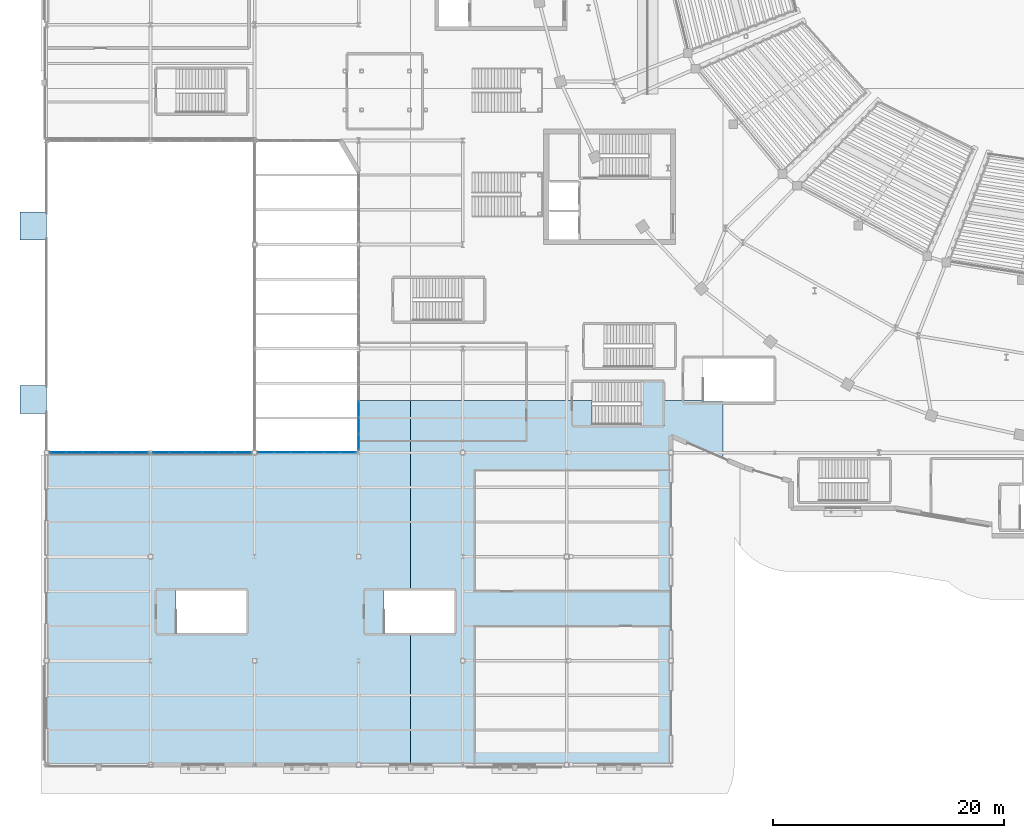
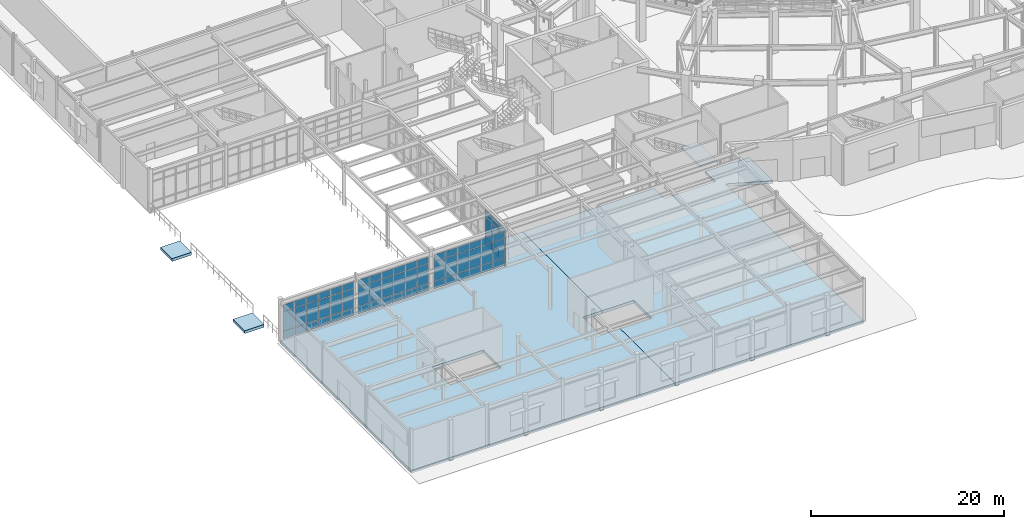
# One storey, part 40 of 79: 63 plates, 5 slabs, 5 elements without a shape of their own.
"""IFC4 building model written with IfcOpenShell, lengths in metres."""

from ifc_helpers import new_model, si_unit, direction, frame, origin, origin_2d, place, context, subcontext, project, spatial, polyline, rectangle, outline, extrude, material, layer, layer_set, type_object, element, aggregate, save


model = new_model("IFC4")

# Units and contexts
model_context = context("Model", 3, precision=1e-05, world=origin(), true_north=direction((0.0, 1.0)))
body_context = subcontext(model_context, "Body", "Model", "MODEL_VIEW")
ifc_project = project(units=[si_unit("LENGTHUNIT", "METRE"), si_unit("AREAUNIT", "SQUARE_METRE"), si_unit("VOLUMEUNIT", "CUBIC_METRE"), si_unit("PLANEANGLEUNIT", "RADIAN"), si_unit("MASSUNIT", "GRAM", prefix="KILO")], contexts=[model_context])

# Site, building, storey
site_placement = place(None, origin())
site = spatial("IfcSite", under=ifc_project, at=site_placement, CompositionType="ELEMENT")
building_placement = place(site_placement, origin())
building = spatial("IfcBuilding", under=site, at=building_placement, Name="Glasvene Arena", CompositionType="ELEMENT")
storey_placement = place(building_placement, origin())
storey = spatial("IfcBuildingStorey", under=building, at=storey_placement, Name="L00", CompositionType="ELEMENT", Elevation=0.0)

# Curtain wall, plates
ifc_material_1 = material(Name="Low-emissivity laminated double glazing", Category="glass")
curtain_wall_type_1 = type_object("IfcCurtainWallType", Name="CW-FAC-L00-853x440", PredefinedType="USERDEFINED", material=ifc_material_1)
curtain_wall_1_placement = place(storey_placement, frame((0.2705078125, 27.0, 0.0)))
curtain_wall_1 = element("IfcCurtainWall", 1, at=curtain_wall_1_placement, inside=storey, type_object=curtain_wall_type_1, Name="Unitised curtain wall CW-F-L00-180-45-270-78", ObjectType="CURTAIN WALL", PredefinedType="USERDEFINED")
ifc_layer_1 = layer(ifc_material_1, 0.028076171875)
ifc_layer_set_1 = layer_set([ifc_layer_1], Name="Low-emissivity laminated double glazing")
plate_type = type_object("IfcPlateType", Name="CW-GLZ-28", PredefinedType="CURTAIN_PANEL", material=ifc_layer_set_1)
plate_1_placement = place(storey_placement, frame((0.994140625, 27.0, 0.10986328125), z_axis=(0.0, 0.0, 1.0), x_axis=(1.0, 0.0, 0.0)))
plate_1 = element("IfcPlate", 2, at=plate_1_placement, type_object=plate_type, Name="CW-003 panel 1.1", PredefinedType="CURTAIN_PANEL", context=body_context, shape_type="SweptSolid", body=[
    extrude(rectangle(XDim=1.34716796875, YDim=0.028076171875, at=origin_2d()), origin(), (0.0, 0.0, 1.0), 0.965087890625),
])
plate_2_placement = place(storey_placement, frame((0.994140625, 27.0, 1.125), z_axis=(0.0, 0.0, 1.0), x_axis=(1.0, 0.0, 0.0)))
plate_2 = element("IfcPlate", 3, at=plate_2_placement, type_object=plate_type, Name="CW-003 panel 1.2", PredefinedType="CURTAIN_PANEL", context=body_context, shape_type="SweptSolid", body=[
    extrude(rectangle(XDim=1.34716796875, YDim=0.028076171875, at=origin_2d()), origin(), (0.0, 0.0, 1.0), 2.4150390625),
])
plate_3_placement = place(storey_placement, frame((0.994140625, 27.0, 3.58984375), z_axis=(0.0, 0.0, 1.0), x_axis=(1.0, 0.0, 0.0)))
plate_3 = element("IfcPlate", 4, at=plate_3_placement, type_object=plate_type, Name="CW-003 panel 1.3", PredefinedType="CURTAIN_PANEL", context=body_context, shape_type="SweptSolid", body=[
    extrude(rectangle(XDim=1.34716796875, YDim=0.028076171875, at=origin_2d()), origin(), (0.0, 0.0, 1.0), 0.824951171875),
])
plate_4_placement = place(storey_placement, frame((2.40380859375, 27.0, 0.10986328125), z_axis=(0.0, 0.0, 1.0), x_axis=(1.0, 0.0, 0.0)))
plate_4 = element("IfcPlate", 5, at=plate_4_placement, type_object=plate_type, Name="CW-003 panel 2.1", PredefinedType="CURTAIN_PANEL", context=body_context, shape_type="SweptSolid", body=[
    extrude(rectangle(XDim=1.3720703125, YDim=0.028076171875, at=origin_2d()), origin(), (0.0, 0.0, 1.0), 0.965087890625),
])
plate_5_placement = place(storey_placement, frame((2.40380859375, 27.0, 1.125), z_axis=(0.0, 0.0, 1.0), x_axis=(1.0, 0.0, 0.0)))
plate_5 = element("IfcPlate", 6, at=plate_5_placement, type_object=plate_type, Name="CW-003 panel 2.2", PredefinedType="CURTAIN_PANEL", context=body_context, shape_type="SweptSolid", body=[
    extrude(rectangle(XDim=1.3720703125, YDim=0.028076171875, at=origin_2d()), origin(), (0.0, 0.0, 1.0), 2.4150390625),
])
plate_6_placement = place(storey_placement, frame((2.40380859375, 27.0, 3.58984375), z_axis=(0.0, 0.0, 1.0), x_axis=(1.0, 0.0, 0.0)))
plate_6 = element("IfcPlate", 7, at=plate_6_placement, type_object=plate_type, Name="CW-003 panel 2.3", PredefinedType="CURTAIN_PANEL", context=body_context, shape_type="SweptSolid", body=[
    extrude(rectangle(XDim=1.3720703125, YDim=0.028076171875, at=origin_2d()), origin(), (0.0, 0.0, 1.0), 0.824951171875),
])
plate_7_placement = place(storey_placement, frame((3.825927734375, 27.0, 0.10986328125), z_axis=(0.0, 0.0, 1.0), x_axis=(1.0, 0.0, 0.0)))
plate_7 = element("IfcPlate", 8, at=plate_7_placement, type_object=plate_type, Name="CW-003 panel 3.1", PredefinedType="CURTAIN_PANEL", context=body_context, shape_type="SweptSolid", body=[
    extrude(rectangle(XDim=1.3720703125, YDim=0.028076171875, at=origin_2d()), origin(), (0.0, 0.0, 1.0), 0.965087890625),
])
plate_8_placement = place(storey_placement, frame((3.825927734375, 27.0, 1.125), z_axis=(0.0, 0.0, 1.0), x_axis=(1.0, 0.0, 0.0)))
plate_8 = element("IfcPlate", 9, at=plate_8_placement, type_object=plate_type, Name="CW-003 panel 3.2", PredefinedType="CURTAIN_PANEL", context=body_context, shape_type="SweptSolid", body=[
    extrude(rectangle(XDim=1.3720703125, YDim=0.028076171875, at=origin_2d()), origin(), (0.0, 0.0, 1.0), 2.4150390625),
])
plate_9_placement = place(storey_placement, frame((3.825927734375, 27.0, 3.58984375), z_axis=(0.0, 0.0, 1.0), x_axis=(1.0, 0.0, 0.0)))
plate_9 = element("IfcPlate", 10, at=plate_9_placement, type_object=plate_type, Name="CW-003 panel 3.3", PredefinedType="CURTAIN_PANEL", context=body_context, shape_type="SweptSolid", body=[
    extrude(rectangle(XDim=1.3720703125, YDim=0.028076171875, at=origin_2d()), origin(), (0.0, 0.0, 1.0), 0.824951171875),
])
plate_10_placement = place(storey_placement, frame((5.248046875, 27.0, 0.10986328125), z_axis=(0.0, 0.0, 1.0), x_axis=(1.0, 0.0, 0.0)))
plate_10 = element("IfcPlate", 11, at=plate_10_placement, type_object=plate_type, Name="CW-003 panel 4.1", PredefinedType="CURTAIN_PANEL", context=body_context, shape_type="SweptSolid", body=[
    extrude(rectangle(XDim=1.3720703125, YDim=0.028076171875, at=origin_2d()), origin(), (0.0, 0.0, 1.0), 0.965087890625),
])
plate_11_placement = place(storey_placement, frame((5.248046875, 27.0, 1.125), z_axis=(0.0, 0.0, 1.0), x_axis=(1.0, 0.0, 0.0)))
plate_11 = element("IfcPlate", 12, at=plate_11_placement, type_object=plate_type, Name="CW-003 panel 4.2", PredefinedType="CURTAIN_PANEL", context=body_context, shape_type="SweptSolid", body=[
    extrude(rectangle(XDim=1.3720703125, YDim=0.028076171875, at=origin_2d()), origin(), (0.0, 0.0, 1.0), 2.4150390625),
])
plate_12_placement = place(storey_placement, frame((5.248046875, 27.0, 3.58984375), z_axis=(0.0, 0.0, 1.0), x_axis=(1.0, 0.0, 0.0)))
plate_12 = element("IfcPlate", 13, at=plate_12_placement, type_object=plate_type, Name="CW-003 panel 4.3", PredefinedType="CURTAIN_PANEL", context=body_context, shape_type="SweptSolid", body=[
    extrude(rectangle(XDim=1.3720703125, YDim=0.028076171875, at=origin_2d()), origin(), (0.0, 0.0, 1.0), 0.824951171875),
])
plate_13_placement = place(storey_placement, frame((6.670166015625, 27.0, 0.10986328125), z_axis=(0.0, 0.0, 1.0), x_axis=(1.0, 0.0, 0.0)))
plate_13 = element("IfcPlate", 14, at=plate_13_placement, type_object=plate_type, Name="CW-003 panel 5.1", PredefinedType="CURTAIN_PANEL", context=body_context, shape_type="SweptSolid", body=[
    extrude(rectangle(XDim=1.3720703125, YDim=0.028076171875, at=origin_2d()), origin(), (0.0, 0.0, 1.0), 0.965087890625),
])
plate_14_placement = place(storey_placement, frame((6.670166015625, 27.0, 1.125), z_axis=(0.0, 0.0, 1.0), x_axis=(1.0, 0.0, 0.0)))
plate_14 = element("IfcPlate", 15, at=plate_14_placement, type_object=plate_type, Name="CW-003 panel 5.2", PredefinedType="CURTAIN_PANEL", context=body_context, shape_type="SweptSolid", body=[
    extrude(rectangle(XDim=1.3720703125, YDim=0.028076171875, at=origin_2d()), origin(), (0.0, 0.0, 1.0), 2.4150390625),
])
plate_15_placement = place(storey_placement, frame((6.670166015625, 27.0, 3.58984375), z_axis=(0.0, 0.0, 1.0), x_axis=(1.0, 0.0, 0.0)))
plate_15 = element("IfcPlate", 16, at=plate_15_placement, type_object=plate_type, Name="CW-003 panel 5.3", PredefinedType="CURTAIN_PANEL", context=body_context, shape_type="SweptSolid", body=[
    extrude(rectangle(XDim=1.3720703125, YDim=0.028076171875, at=origin_2d()), origin(), (0.0, 0.0, 1.0), 0.824951171875),
])
plate_16_placement = place(storey_placement, frame((8.079833984375, 27.0, 0.10986328125), z_axis=(0.0, 0.0, 1.0), x_axis=(1.0, 0.0, 0.0)))
plate_16 = element("IfcPlate", 17, at=plate_16_placement, type_object=plate_type, Name="CW-003 panel 6.1", PredefinedType="CURTAIN_PANEL", context=body_context, shape_type="SweptSolid", body=[
    extrude(rectangle(XDim=1.34716796875, YDim=0.028076171875, at=origin_2d()), origin(), (0.0, 0.0, 1.0), 0.965087890625),
])
plate_17_placement = place(storey_placement, frame((8.079833984375, 27.0, 1.125), z_axis=(0.0, 0.0, 1.0), x_axis=(1.0, 0.0, 0.0)))
plate_17 = element("IfcPlate", 18, at=plate_17_placement, type_object=plate_type, Name="CW-003 panel 6.2", PredefinedType="CURTAIN_PANEL", context=body_context, shape_type="SweptSolid", body=[
    extrude(rectangle(XDim=1.34716796875, YDim=0.028076171875, at=origin_2d()), origin(), (0.0, 0.0, 1.0), 2.4150390625),
])
plate_18_placement = place(storey_placement, frame((8.079833984375, 27.0, 3.58984375), z_axis=(0.0, 0.0, 1.0), x_axis=(1.0, 0.0, 0.0)))
plate_18 = element("IfcPlate", 19, at=plate_18_placement, type_object=plate_type, Name="CW-003 panel 6.3", PredefinedType="CURTAIN_PANEL", context=body_context, shape_type="SweptSolid", body=[
    extrude(rectangle(XDim=1.34716796875, YDim=0.028076171875, at=origin_2d()), origin(), (0.0, 0.0, 1.0), 0.824951171875),
])
aggregate(curtain_wall_1, [plate_1, plate_2, plate_3, plate_4, plate_5, plate_6, plate_7, plate_8, plate_9, plate_10, plate_11, plate_12, plate_13, plate_14, plate_15, plate_16, plate_17, plate_18])

curtain_wall_2_placement = place(storey_placement, frame((9.196533203125, 27.0, 0.0)))
curtain_wall_2 = element("IfcCurtainWall", 20, at=curtain_wall_2_placement, inside=storey, type_object=curtain_wall_type_1, Name="Unitised curtain wall CW-F-L00-180-135-270-79", ObjectType="CURTAIN WALL", PredefinedType="USERDEFINED")
plate_19_placement = place(storey_placement, frame((9.920166015625, 27.0, 0.10986328125), z_axis=(0.0, 0.0, 1.0), x_axis=(1.0, 0.0, 0.0)))
plate_19 = element("IfcPlate", 21, at=plate_19_placement, type_object=plate_type, Name="CW-003 panel 1.1", PredefinedType="CURTAIN_PANEL", context=body_context, shape_type="SweptSolid", body=[
    extrude(rectangle(XDim=1.34716796875, YDim=0.028076171875, at=origin_2d()), origin(), (0.0, 0.0, 1.0), 0.965087890625),
])
plate_20_placement = place(storey_placement, frame((9.920166015625, 27.0, 1.125), z_axis=(0.0, 0.0, 1.0), x_axis=(1.0, 0.0, 0.0)))
plate_20 = element("IfcPlate", 22, at=plate_20_placement, type_object=plate_type, Name="CW-003 panel 1.2", PredefinedType="CURTAIN_PANEL", context=body_context, shape_type="SweptSolid", body=[
    extrude(rectangle(XDim=1.34716796875, YDim=0.028076171875, at=origin_2d()), origin(), (0.0, 0.0, 1.0), 2.4150390625),
])
plate_21_placement = place(storey_placement, frame((9.920166015625, 27.0, 3.58984375), z_axis=(0.0, 0.0, 1.0), x_axis=(1.0, 0.0, 0.0)))
plate_21 = element("IfcPlate", 23, at=plate_21_placement, type_object=plate_type, Name="CW-003 panel 1.3", PredefinedType="CURTAIN_PANEL", context=body_context, shape_type="SweptSolid", body=[
    extrude(rectangle(XDim=1.34716796875, YDim=0.028076171875, at=origin_2d()), origin(), (0.0, 0.0, 1.0), 0.824951171875),
])
plate_22_placement = place(storey_placement, frame((11.329833984375, 27.0, 0.10986328125), z_axis=(0.0, 0.0, 1.0), x_axis=(1.0, 0.0, 0.0)))
plate_22 = element("IfcPlate", 24, at=plate_22_placement, type_object=plate_type, Name="CW-003 panel 2.1", PredefinedType="CURTAIN_PANEL", context=body_context, shape_type="SweptSolid", body=[
    extrude(rectangle(XDim=1.3720703125, YDim=0.028076171875, at=origin_2d()), origin(), (0.0, 0.0, 1.0), 0.965087890625),
])
plate_23_placement = place(storey_placement, frame((11.329833984375, 27.0, 1.125), z_axis=(0.0, 0.0, 1.0), x_axis=(1.0, 0.0, 0.0)))
plate_23 = element("IfcPlate", 25, at=plate_23_placement, type_object=plate_type, Name="CW-003 panel 2.2", PredefinedType="CURTAIN_PANEL", context=body_context, shape_type="SweptSolid", body=[
    extrude(rectangle(XDim=1.3720703125, YDim=0.028076171875, at=origin_2d()), origin(), (0.0, 0.0, 1.0), 2.4150390625),
])
plate_24_placement = place(storey_placement, frame((11.329833984375, 27.0, 3.58984375), z_axis=(0.0, 0.0, 1.0), x_axis=(1.0, 0.0, 0.0)))
plate_24 = element("IfcPlate", 26, at=plate_24_placement, type_object=plate_type, Name="CW-003 panel 2.3", PredefinedType="CURTAIN_PANEL", context=body_context, shape_type="SweptSolid", body=[
    extrude(rectangle(XDim=1.3720703125, YDim=0.028076171875, at=origin_2d()), origin(), (0.0, 0.0, 1.0), 0.824951171875),
])
plate_25_placement = place(storey_placement, frame((12.751953125, 27.0, 0.10986328125), z_axis=(0.0, 0.0, 1.0), x_axis=(1.0, 0.0, 0.0)))
plate_25 = element("IfcPlate", 27, at=plate_25_placement, type_object=plate_type, Name="CW-003 panel 3.1", PredefinedType="CURTAIN_PANEL", context=body_context, shape_type="SweptSolid", body=[
    extrude(rectangle(XDim=1.3720703125, YDim=0.028076171875, at=origin_2d()), origin(), (0.0, 0.0, 1.0), 0.965087890625),
])
plate_26_placement = place(storey_placement, frame((12.751953125, 27.0, 1.125), z_axis=(0.0, 0.0, 1.0), x_axis=(1.0, 0.0, 0.0)))
plate_26 = element("IfcPlate", 28, at=plate_26_placement, type_object=plate_type, Name="CW-003 panel 3.2", PredefinedType="CURTAIN_PANEL", context=body_context, shape_type="SweptSolid", body=[
    extrude(rectangle(XDim=1.3720703125, YDim=0.028076171875, at=origin_2d()), origin(), (0.0, 0.0, 1.0), 2.4150390625),
])
plate_27_placement = place(storey_placement, frame((12.751953125, 27.0, 3.58984375), z_axis=(0.0, 0.0, 1.0), x_axis=(1.0, 0.0, 0.0)))
plate_27 = element("IfcPlate", 29, at=plate_27_placement, type_object=plate_type, Name="CW-003 panel 3.3", PredefinedType="CURTAIN_PANEL", context=body_context, shape_type="SweptSolid", body=[
    extrude(rectangle(XDim=1.3720703125, YDim=0.028076171875, at=origin_2d()), origin(), (0.0, 0.0, 1.0), 0.824951171875),
])
plate_28_placement = place(storey_placement, frame((14.174072265625, 27.0, 0.10986328125), z_axis=(0.0, 0.0, 1.0), x_axis=(1.0, 0.0, 0.0)))
plate_28 = element("IfcPlate", 30, at=plate_28_placement, type_object=plate_type, Name="CW-003 panel 4.1", PredefinedType="CURTAIN_PANEL", context=body_context, shape_type="SweptSolid", body=[
    extrude(rectangle(XDim=1.3720703125, YDim=0.028076171875, at=origin_2d()), origin(), (0.0, 0.0, 1.0), 0.965087890625),
])
plate_29_placement = place(storey_placement, frame((14.174072265625, 27.0, 1.125), z_axis=(0.0, 0.0, 1.0), x_axis=(1.0, 0.0, 0.0)))
plate_29 = element("IfcPlate", 31, at=plate_29_placement, type_object=plate_type, Name="CW-003 panel 4.2", PredefinedType="CURTAIN_PANEL", context=body_context, shape_type="SweptSolid", body=[
    extrude(rectangle(XDim=1.3720703125, YDim=0.028076171875, at=origin_2d()), origin(), (0.0, 0.0, 1.0), 2.4150390625),
])
plate_30_placement = place(storey_placement, frame((14.174072265625, 27.0, 3.58984375), z_axis=(0.0, 0.0, 1.0), x_axis=(1.0, 0.0, 0.0)))
plate_30 = element("IfcPlate", 32, at=plate_30_placement, type_object=plate_type, Name="CW-003 panel 4.3", PredefinedType="CURTAIN_PANEL", context=body_context, shape_type="SweptSolid", body=[
    extrude(rectangle(XDim=1.3720703125, YDim=0.028076171875, at=origin_2d()), origin(), (0.0, 0.0, 1.0), 0.824951171875),
])
plate_31_placement = place(storey_placement, frame((15.59619140625, 27.0, 0.10986328125), z_axis=(0.0, 0.0, 1.0), x_axis=(1.0, 0.0, 0.0)))
plate_31 = element("IfcPlate", 33, at=plate_31_placement, type_object=plate_type, Name="CW-003 panel 5.1", PredefinedType="CURTAIN_PANEL", context=body_context, shape_type="SweptSolid", body=[
    extrude(rectangle(XDim=1.3720703125, YDim=0.028076171875, at=origin_2d()), origin(), (0.0, 0.0, 1.0), 0.965087890625),
])
plate_32_placement = place(storey_placement, frame((15.59619140625, 27.0, 1.125), z_axis=(0.0, 0.0, 1.0), x_axis=(1.0, 0.0, 0.0)))
plate_32 = element("IfcPlate", 34, at=plate_32_placement, type_object=plate_type, Name="CW-003 panel 5.2", PredefinedType="CURTAIN_PANEL", context=body_context, shape_type="SweptSolid", body=[
    extrude(rectangle(XDim=1.3720703125, YDim=0.028076171875, at=origin_2d()), origin(), (0.0, 0.0, 1.0), 2.4150390625),
])
plate_33_placement = place(storey_placement, frame((15.59619140625, 27.0, 3.58984375), z_axis=(0.0, 0.0, 1.0), x_axis=(1.0, 0.0, 0.0)))
plate_33 = element("IfcPlate", 35, at=plate_33_placement, type_object=plate_type, Name="CW-003 panel 5.3", PredefinedType="CURTAIN_PANEL", context=body_context, shape_type="SweptSolid", body=[
    extrude(rectangle(XDim=1.3720703125, YDim=0.028076171875, at=origin_2d()), origin(), (0.0, 0.0, 1.0), 0.824951171875),
])
plate_34_placement = place(storey_placement, frame((17.005859375, 27.0, 0.10986328125), z_axis=(0.0, 0.0, 1.0), x_axis=(1.0, 0.0, 0.0)))
plate_34 = element("IfcPlate", 36, at=plate_34_placement, type_object=plate_type, Name="CW-003 panel 6.1", PredefinedType="CURTAIN_PANEL", context=body_context, shape_type="SweptSolid", body=[
    extrude(rectangle(XDim=1.34716796875, YDim=0.028076171875, at=origin_2d()), origin(), (0.0, 0.0, 1.0), 0.965087890625),
])
plate_35_placement = place(storey_placement, frame((17.005859375, 27.0, 1.125), z_axis=(0.0, 0.0, 1.0), x_axis=(1.0, 0.0, 0.0)))
plate_35 = element("IfcPlate", 37, at=plate_35_placement, type_object=plate_type, Name="CW-003 panel 6.2", PredefinedType="CURTAIN_PANEL", context=body_context, shape_type="SweptSolid", body=[
    extrude(rectangle(XDim=1.34716796875, YDim=0.028076171875, at=origin_2d()), origin(), (0.0, 0.0, 1.0), 2.4150390625),
])
plate_36_placement = place(storey_placement, frame((17.005859375, 27.0, 3.58984375), z_axis=(0.0, 0.0, 1.0), x_axis=(1.0, 0.0, 0.0)))
plate_36 = element("IfcPlate", 38, at=plate_36_placement, type_object=plate_type, Name="CW-003 panel 6.3", PredefinedType="CURTAIN_PANEL", context=body_context, shape_type="SweptSolid", body=[
    extrude(rectangle(XDim=1.34716796875, YDim=0.028076171875, at=origin_2d()), origin(), (0.0, 0.0, 1.0), 0.824951171875),
])
aggregate(curtain_wall_2, [plate_19, plate_20, plate_21, plate_22, plate_23, plate_24, plate_25, plate_26, plate_27, plate_28, plate_29, plate_30, plate_31, plate_32, plate_33, plate_34, plate_35, plate_36])

curtain_wall_3_placement = place(storey_placement, frame((18.2705078125, 27.0, 0.0)))
curtain_wall_3 = element("IfcCurtainWall", 39, at=curtain_wall_3_placement, inside=storey, type_object=curtain_wall_type_1, Name="Unitised curtain wall CW-F-L00-180-225-270-80", ObjectType="CURTAIN WALL", PredefinedType="USERDEFINED")
plate_37_placement = place(storey_placement, frame((18.994140625, 27.0, 0.10986328125), z_axis=(0.0, 0.0, 1.0), x_axis=(1.0, 0.0, 0.0)))
plate_37 = element("IfcPlate", 40, at=plate_37_placement, type_object=plate_type, Name="CW-003 panel 1.1", PredefinedType="CURTAIN_PANEL", context=body_context, shape_type="SweptSolid", body=[
    extrude(rectangle(XDim=1.34716796875, YDim=0.028076171875, at=origin_2d()), origin(), (0.0, 0.0, 1.0), 0.965087890625),
])
plate_38_placement = place(storey_placement, frame((18.994140625, 27.0, 1.125), z_axis=(0.0, 0.0, 1.0), x_axis=(1.0, 0.0, 0.0)))
plate_38 = element("IfcPlate", 41, at=plate_38_placement, type_object=plate_type, Name="CW-003 panel 1.2", PredefinedType="CURTAIN_PANEL", context=body_context, shape_type="SweptSolid", body=[
    extrude(rectangle(XDim=1.34716796875, YDim=0.028076171875, at=origin_2d()), origin(), (0.0, 0.0, 1.0), 2.4150390625),
])
plate_39_placement = place(storey_placement, frame((18.994140625, 27.0, 3.58984375), z_axis=(0.0, 0.0, 1.0), x_axis=(1.0, 0.0, 0.0)))
plate_39 = element("IfcPlate", 42, at=plate_39_placement, type_object=plate_type, Name="CW-003 panel 1.3", PredefinedType="CURTAIN_PANEL", context=body_context, shape_type="SweptSolid", body=[
    extrude(rectangle(XDim=1.34716796875, YDim=0.028076171875, at=origin_2d()), origin(), (0.0, 0.0, 1.0), 0.824951171875),
])
plate_40_placement = place(storey_placement, frame((20.40380859375, 27.0, 0.10986328125), z_axis=(0.0, 0.0, 1.0), x_axis=(1.0, 0.0, 0.0)))
plate_40 = element("IfcPlate", 43, at=plate_40_placement, type_object=plate_type, Name="CW-003 panel 2.1", PredefinedType="CURTAIN_PANEL", context=body_context, shape_type="SweptSolid", body=[
    extrude(rectangle(XDim=1.3720703125, YDim=0.028076171875, at=origin_2d()), origin(), (0.0, 0.0, 1.0), 0.965087890625),
])
plate_41_placement = place(storey_placement, frame((20.40380859375, 27.0, 1.125), z_axis=(0.0, 0.0, 1.0), x_axis=(1.0, 0.0, 0.0)))
plate_41 = element("IfcPlate", 44, at=plate_41_placement, type_object=plate_type, Name="CW-003 panel 2.2", PredefinedType="CURTAIN_PANEL", context=body_context, shape_type="SweptSolid", body=[
    extrude(rectangle(XDim=1.3720703125, YDim=0.028076171875, at=origin_2d()), origin(), (0.0, 0.0, 1.0), 2.4150390625),
])
plate_42_placement = place(storey_placement, frame((20.40380859375, 27.0, 3.58984375), z_axis=(0.0, 0.0, 1.0), x_axis=(1.0, 0.0, 0.0)))
plate_42 = element("IfcPlate", 45, at=plate_42_placement, type_object=plate_type, Name="CW-003 panel 2.3", PredefinedType="CURTAIN_PANEL", context=body_context, shape_type="SweptSolid", body=[
    extrude(rectangle(XDim=1.3720703125, YDim=0.028076171875, at=origin_2d()), origin(), (0.0, 0.0, 1.0), 0.824951171875),
])
plate_43_placement = place(storey_placement, frame((21.825927734375, 27.0, 0.10986328125), z_axis=(0.0, 0.0, 1.0), x_axis=(1.0, 0.0, 0.0)))
plate_43 = element("IfcPlate", 46, at=plate_43_placement, type_object=plate_type, Name="CW-003 panel 3.1", PredefinedType="CURTAIN_PANEL", context=body_context, shape_type="SweptSolid", body=[
    extrude(rectangle(XDim=1.3720703125, YDim=0.028076171875, at=origin_2d()), origin(), (0.0, 0.0, 1.0), 0.965087890625),
])
plate_44_placement = place(storey_placement, frame((21.825927734375, 27.0, 1.125), z_axis=(0.0, 0.0, 1.0), x_axis=(1.0, 0.0, 0.0)))
plate_44 = element("IfcPlate", 47, at=plate_44_placement, type_object=plate_type, Name="CW-003 panel 3.2", PredefinedType="CURTAIN_PANEL", context=body_context, shape_type="SweptSolid", body=[
    extrude(rectangle(XDim=1.3720703125, YDim=0.028076171875, at=origin_2d()), origin(), (0.0, 0.0, 1.0), 2.4150390625),
])
plate_45_placement = place(storey_placement, frame((21.825927734375, 27.0, 3.58984375), z_axis=(0.0, 0.0, 1.0), x_axis=(1.0, 0.0, 0.0)))
plate_45 = element("IfcPlate", 48, at=plate_45_placement, type_object=plate_type, Name="CW-003 panel 3.3", PredefinedType="CURTAIN_PANEL", context=body_context, shape_type="SweptSolid", body=[
    extrude(rectangle(XDim=1.3720703125, YDim=0.028076171875, at=origin_2d()), origin(), (0.0, 0.0, 1.0), 0.824951171875),
])
plate_46_placement = place(storey_placement, frame((23.248046875, 27.0, 0.10986328125), z_axis=(0.0, 0.0, 1.0), x_axis=(1.0, 0.0, 0.0)))
plate_46 = element("IfcPlate", 49, at=plate_46_placement, type_object=plate_type, Name="CW-003 panel 4.1", PredefinedType="CURTAIN_PANEL", context=body_context, shape_type="SweptSolid", body=[
    extrude(rectangle(XDim=1.3720703125, YDim=0.028076171875, at=origin_2d()), origin(), (0.0, 0.0, 1.0), 0.965087890625),
])
plate_47_placement = place(storey_placement, frame((23.248046875, 27.0, 1.125), z_axis=(0.0, 0.0, 1.0), x_axis=(1.0, 0.0, 0.0)))
plate_47 = element("IfcPlate", 50, at=plate_47_placement, type_object=plate_type, Name="CW-003 panel 4.2", PredefinedType="CURTAIN_PANEL", context=body_context, shape_type="SweptSolid", body=[
    extrude(rectangle(XDim=1.3720703125, YDim=0.028076171875, at=origin_2d()), origin(), (0.0, 0.0, 1.0), 2.4150390625),
])
plate_48_placement = place(storey_placement, frame((23.248046875, 27.0, 3.58984375), z_axis=(0.0, 0.0, 1.0), x_axis=(1.0, 0.0, 0.0)))
plate_48 = element("IfcPlate", 51, at=plate_48_placement, type_object=plate_type, Name="CW-003 panel 4.3", PredefinedType="CURTAIN_PANEL", context=body_context, shape_type="SweptSolid", body=[
    extrude(rectangle(XDim=1.3720703125, YDim=0.028076171875, at=origin_2d()), origin(), (0.0, 0.0, 1.0), 0.824951171875),
])
plate_49_placement = place(storey_placement, frame((24.670166015625, 27.0, 0.10986328125), z_axis=(0.0, 0.0, 1.0), x_axis=(1.0, 0.0, 0.0)))
plate_49 = element("IfcPlate", 52, at=plate_49_placement, type_object=plate_type, Name="CW-003 panel 5.1", PredefinedType="CURTAIN_PANEL", context=body_context, shape_type="SweptSolid", body=[
    extrude(rectangle(XDim=1.3720703125, YDim=0.028076171875, at=origin_2d()), origin(), (0.0, 0.0, 1.0), 0.965087890625),
])
plate_50_placement = place(storey_placement, frame((24.670166015625, 27.0, 1.125), z_axis=(0.0, 0.0, 1.0), x_axis=(1.0, 0.0, 0.0)))
plate_50 = element("IfcPlate", 53, at=plate_50_placement, type_object=plate_type, Name="CW-003 panel 5.2", PredefinedType="CURTAIN_PANEL", context=body_context, shape_type="SweptSolid", body=[
    extrude(rectangle(XDim=1.3720703125, YDim=0.028076171875, at=origin_2d()), origin(), (0.0, 0.0, 1.0), 2.4150390625),
])
plate_51_placement = place(storey_placement, frame((24.670166015625, 27.0, 3.58984375), z_axis=(0.0, 0.0, 1.0), x_axis=(1.0, 0.0, 0.0)))
plate_51 = element("IfcPlate", 54, at=plate_51_placement, type_object=plate_type, Name="CW-003 panel 5.3", PredefinedType="CURTAIN_PANEL", context=body_context, shape_type="SweptSolid", body=[
    extrude(rectangle(XDim=1.3720703125, YDim=0.028076171875, at=origin_2d()), origin(), (0.0, 0.0, 1.0), 0.824951171875),
])
plate_52_placement = place(storey_placement, frame((26.079833984375, 27.0, 0.10986328125), z_axis=(0.0, 0.0, 1.0), x_axis=(1.0, 0.0, 0.0)))
plate_52 = element("IfcPlate", 55, at=plate_52_placement, type_object=plate_type, Name="CW-003 panel 6.1", PredefinedType="CURTAIN_PANEL", context=body_context, shape_type="SweptSolid", body=[
    extrude(rectangle(XDim=1.34716796875, YDim=0.028076171875, at=origin_2d()), origin(), (0.0, 0.0, 1.0), 0.965087890625),
])
plate_53_placement = place(storey_placement, frame((26.079833984375, 27.0, 1.125), z_axis=(0.0, 0.0, 1.0), x_axis=(1.0, 0.0, 0.0)))
plate_53 = element("IfcPlate", 56, at=plate_53_placement, type_object=plate_type, Name="CW-003 panel 6.2", PredefinedType="CURTAIN_PANEL", context=body_context, shape_type="SweptSolid", body=[
    extrude(rectangle(XDim=1.34716796875, YDim=0.028076171875, at=origin_2d()), origin(), (0.0, 0.0, 1.0), 2.4150390625),
])
plate_54_placement = place(storey_placement, frame((26.079833984375, 27.0, 3.58984375), z_axis=(0.0, 0.0, 1.0), x_axis=(1.0, 0.0, 0.0)))
plate_54 = element("IfcPlate", 57, at=plate_54_placement, type_object=plate_type, Name="CW-003 panel 6.3", PredefinedType="CURTAIN_PANEL", context=body_context, shape_type="SweptSolid", body=[
    extrude(rectangle(XDim=1.34716796875, YDim=0.028076171875, at=origin_2d()), origin(), (0.0, 0.0, 1.0), 0.824951171875),
])
aggregate(curtain_wall_3, [plate_37, plate_38, plate_39, plate_40, plate_41, plate_42, plate_43, plate_44, plate_45, plate_46, plate_47, plate_48, plate_49, plate_50, plate_51, plate_52, plate_53, plate_54])

curtain_wall_type_2 = type_object("IfcCurtainWallType", Name="CW-FAC-L00-851x445", PredefinedType="USERDEFINED", material=ifc_material_1)
curtain_wall_4_placement = place(storey_placement, frame((27.0, 27.202392578125, 0.0)))
curtain_wall_4 = element("IfcCurtainWall", 58, at=curtain_wall_4_placement, inside=storey, type_object=curtain_wall_type_2, Name="Unitised curtain wall CW-F-L00-180-270-315-81", ObjectType="CURTAIN WALL", PredefinedType="USERDEFINED")
plate_55_placement = place(storey_placement, frame((27.0, 27.923583984375, 0.10986328125), z_axis=(0.0, 0.0, 1.0), x_axis=(0.0, 1.0, 0.0)))
plate_55 = element("IfcPlate", 59, at=plate_55_placement, type_object=plate_type, Name="CW-004 panel 1.1", PredefinedType="CURTAIN_PANEL", context=body_context, shape_type="SweptSolid", body=[
    extrude(rectangle(XDim=1.342529296875, YDim=0.028076171875, at=origin_2d()), origin(), (0.0, 0.0, 1.0), 0.965087890625),
])
plate_56_placement = place(storey_placement, frame((27.0, 27.923583984375, 1.125), z_axis=(0.0, 0.0, 1.0), x_axis=(0.0, 1.0, 0.0)))
plate_56 = element("IfcPlate", 60, at=plate_56_placement, type_object=plate_type, Name="CW-004 panel 1.2", PredefinedType="CURTAIN_PANEL", context=body_context, shape_type="SweptSolid", body=[
    extrude(rectangle(XDim=1.342529296875, YDim=0.028076171875, at=origin_2d()), origin(), (0.0, 0.0, 1.0), 2.45703125),
])
plate_57_placement = place(storey_placement, frame((27.0, 27.923583984375, 3.6318359375), z_axis=(0.0, 0.0, 1.0), x_axis=(0.0, 1.0, 0.0)))
plate_57 = element("IfcPlate", 61, at=plate_57_placement, type_object=plate_type, Name="CW-004 panel 1.3", PredefinedType="CURTAIN_PANEL", context=body_context, shape_type="SweptSolid", body=[
    extrude(rectangle(XDim=1.342529296875, YDim=0.028076171875, at=origin_2d()), origin(), (0.0, 0.0, 1.0), 0.824951171875),
])
plate_58_placement = place(storey_placement, frame((27.0, 29.32861328125, 0.10986328125), z_axis=(0.0, 0.0, 1.0), x_axis=(0.0, 1.0, 0.0)))
plate_58 = element("IfcPlate", 62, at=plate_58_placement, type_object=plate_type, Name="CW-004 panel 2.1", PredefinedType="CURTAIN_PANEL", context=body_context, shape_type="SweptSolid", body=[
    extrude(rectangle(XDim=1.36767578125, YDim=0.028076171875, at=origin_2d()), origin(), (0.0, 0.0, 1.0), 0.965087890625),
])
plate_59_placement = place(storey_placement, frame((27.0, 29.32861328125, 1.125), z_axis=(0.0, 0.0, 1.0), x_axis=(0.0, 1.0, 0.0)))
plate_59 = element("IfcPlate", 63, at=plate_59_placement, type_object=plate_type, Name="CW-004 panel 2.2", PredefinedType="CURTAIN_PANEL", context=body_context, shape_type="SweptSolid", body=[
    extrude(rectangle(XDim=1.36767578125, YDim=0.028076171875, at=origin_2d()), origin(), (0.0, 0.0, 1.0), 2.45703125),
])
plate_60_placement = place(storey_placement, frame((27.0, 29.32861328125, 3.6318359375), z_axis=(0.0, 0.0, 1.0), x_axis=(0.0, 1.0, 0.0)))
plate_60 = element("IfcPlate", 64, at=plate_60_placement, type_object=plate_type, Name="CW-004 panel 2.3", PredefinedType="CURTAIN_PANEL", context=body_context, shape_type="SweptSolid", body=[
    extrude(rectangle(XDim=1.36767578125, YDim=0.028076171875, at=origin_2d()), origin(), (0.0, 0.0, 1.0), 0.824951171875),
])
plate_61_placement = place(storey_placement, frame((27.0, 30.746337890625, 0.10986328125), z_axis=(0.0, 0.0, 1.0), x_axis=(0.0, 1.0, 0.0)))
plate_61 = element("IfcPlate", 65, at=plate_61_placement, type_object=plate_type, Name="CW-004 panel 3.1", PredefinedType="CURTAIN_PANEL", context=body_context, shape_type="SweptSolid", body=[
    extrude(rectangle(XDim=1.36767578125, YDim=0.028076171875, at=origin_2d()), origin(), (0.0, 0.0, 1.0), 0.965087890625),
])
plate_62_placement = place(storey_placement, frame((27.0, 30.746337890625, 1.125), z_axis=(0.0, 0.0, 1.0), x_axis=(0.0, 1.0, 0.0)))
plate_62 = element("IfcPlate", 66, at=plate_62_placement, type_object=plate_type, Name="CW-004 panel 3.2", PredefinedType="CURTAIN_PANEL", context=body_context, shape_type="SweptSolid", body=[
    extrude(rectangle(XDim=1.36767578125, YDim=0.028076171875, at=origin_2d()), origin(), (0.0, 0.0, 1.0), 2.45703125),
])
plate_63_placement = place(storey_placement, frame((27.0, 30.746337890625, 3.6318359375), z_axis=(0.0, 0.0, 1.0), x_axis=(0.0, 1.0, 0.0)))
plate_63 = element("IfcPlate", 67, at=plate_63_placement, type_object=plate_type, Name="CW-004 panel 3.3", PredefinedType="CURTAIN_PANEL", context=body_context, shape_type="SweptSolid", body=[
    extrude(rectangle(XDim=1.36767578125, YDim=0.028076171875, at=origin_2d()), origin(), (0.0, 0.0, 1.0), 0.824951171875),
])
aggregate(curtain_wall_4, [plate_55, plate_56, plate_57, plate_58, plate_59, plate_60, plate_61, plate_62, plate_63])

# Slabs
ifc_material_2 = material(Name="Concrete C40/50", Category="concrete")
ifc_layer_2 = layer(ifc_material_2, 0.360107421875)
ifc_layer_set_2 = layer_set([ifc_layer_2], Name="Concrete C40/50")
slab_type_1 = type_object("IfcSlabType", Name="SL-L00-360", PredefinedType="FLOOR", material=ifc_layer_set_2)
slab_1_placement = place(storey_placement, frame((23.84033203125, 16.989990234375, -0.360107421875)))
element("IfcSlab", 68, at=slab_1_placement, inside=storey, type_object=slab_type_1, Name="Structural floor slab L00 sector 1-1 (16)", PredefinedType="FLOOR", context=body_context, shape_type="SweptSolid", body=[
    extrude(outline(polyline([(-23.84033203125, 10.010009765625), (3.15966796875, 10.010009765625), (3.15966796875, 14.510009765625), (7.65966796875, 14.510009765625), (7.65966796875, -1.93994140625), (5.361572265625, -1.93994140625), (5.361572265625, -5.590087890625), (7.65966796875, -5.590087890625), (7.65966796875, -16.989990234375), (-23.84033203125, -16.989990234375), (-23.84033203125, 10.010009765625)]), holes=[polyline([(-6.540283203125, -5.590087890625), (-6.540283203125, -1.93994140625), (-12.638427734375, -1.93994140625), (-12.638427734375, -5.590087890625), (-6.540283203125, -5.590087890625)])]), origin(), (0.0, 0.0, 1.0), 0.360107421875),
])
slab_2_placement = place(storey_placement, frame((46.012939453125, 22.216796875, -0.360107421875)))
element("IfcSlab", 69, at=slab_2_placement, inside=storey, type_object=slab_type_1, Name="Structural floor slab L00 sector 1-2 (17)", PredefinedType="FLOOR", context=body_context, shape_type="SweptSolid", body=[
    extrude(outline(polyline([(7.987060546875, -22.216796875), (-14.512939453125, -22.216796875), (-14.512939453125, -10.81689453125), (-10.712890625, -10.81689453125), (-10.712890625, -7.166748046875), (-14.512939453125, -7.166748046875), (-14.512939453125, 9.283203125), (1.18896484375, 9.283203125), (1.18896484375, 7.18310546875), (7.287109375, 7.18310546875), (7.287109375, 9.283203125), (10.7890625, 9.283203125), (10.7890625, 9.18310546875), (12.487060546875, 9.18310546875), (12.487060546875, 4.291259765625), (7.987060546875, 6.242919921875), (7.987060546875, -22.216796875)])), origin(), (0.0, 0.0, 1.0), 0.360107421875),
])

# Stair, slab
stair_type = type_object("IfcStairType", Name="ST-HT-540-170", PredefinedType="HALF_TURN_STAIR", material=ifc_material_2)
stair_placement = place(storey_placement, origin())
stair = element("IfcStair", 70, at=stair_placement, inside=storey, type_object=stair_type, Name="Protected escape stair ST-16 (L00 to L01)", PredefinedType="HALF_TURN_STAIR")
ifc_layer_3 = layer(ifc_material_2, 0.219970703125)
ifc_layer_set_3 = layer_set([ifc_layer_3], Name="Concrete C40/50")
slab_type_2 = type_object("IfcSlabType", Name="SL-LAND-220", PredefinedType="LANDING", material=ifc_layer_set_3)
slab_3_placement = place(storey_placement, frame((52.39990234375, 31.22509765625, 2.47998046875)))
slab_3 = element("IfcSlab", 71, at=slab_3_placement, type_object=slab_type_2, Name="Protected escape stair ST-16 (L00 to L01) landing 1", PredefinedType="LANDING", context=body_context, shape_type="SweptSolid", body=[
    extrude(outline(polyline([(-1.0, -1.925048828125), (1.0, -1.925048828125), (1.0, 1.9248046875), (-1.0, 1.9248046875), (-1.0, -1.925048828125)])), origin(), (0.0, 0.0, 1.0), 0.219970703125),
])
aggregate(stair, [slab_3])

# Slabs
ifc_layer_4 = layer(ifc_material_2, 0.360107421875)
ifc_layer_set_4 = layer_set([ifc_layer_4], Name="Concrete C40/50")
slab_type_3 = type_object("IfcSlabType", Name="SL-LAND-360", PredefinedType="LANDING", material=ifc_layer_set_4)
for number, where, name in (
    (72, (-1.14990234375, 31.60009765625, -0.360107421875), "Metro stair street arrival landing slab 1"),
    (73, (-1.14990234375, 46.60009765625, -0.360107421875), "Metro stair street arrival landing slab 2"),
):
    element("IfcSlab", number, at=place(storey_placement, frame(where)), inside=storey, type_object=slab_type_3, Name=name, PredefinedType="LANDING", context=body_context, shape_type="SweptSolid", body=[
        extrude(outline(polyline([(-1.150146484375, -1.2001953125), (1.14990234375, -1.2001953125), (1.14990234375, 1.199951171875), (-1.150146484375, 1.199951171875), (-1.150146484375, -1.2001953125)])), origin(), (0.0, 0.0, 1.0), 0.360107421875),
    ])

save(model, "model.ifc")
